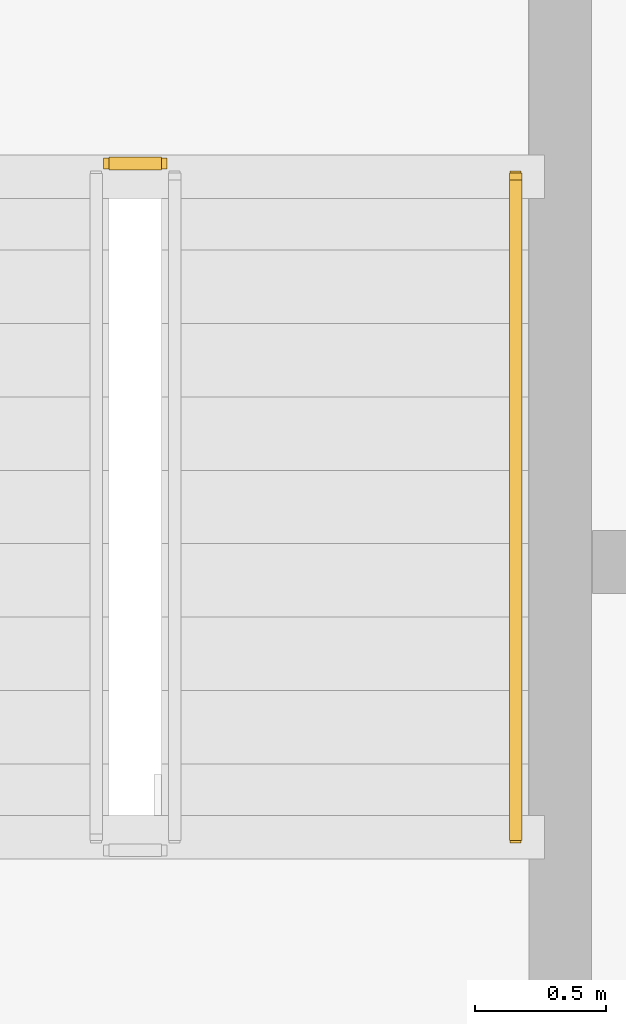
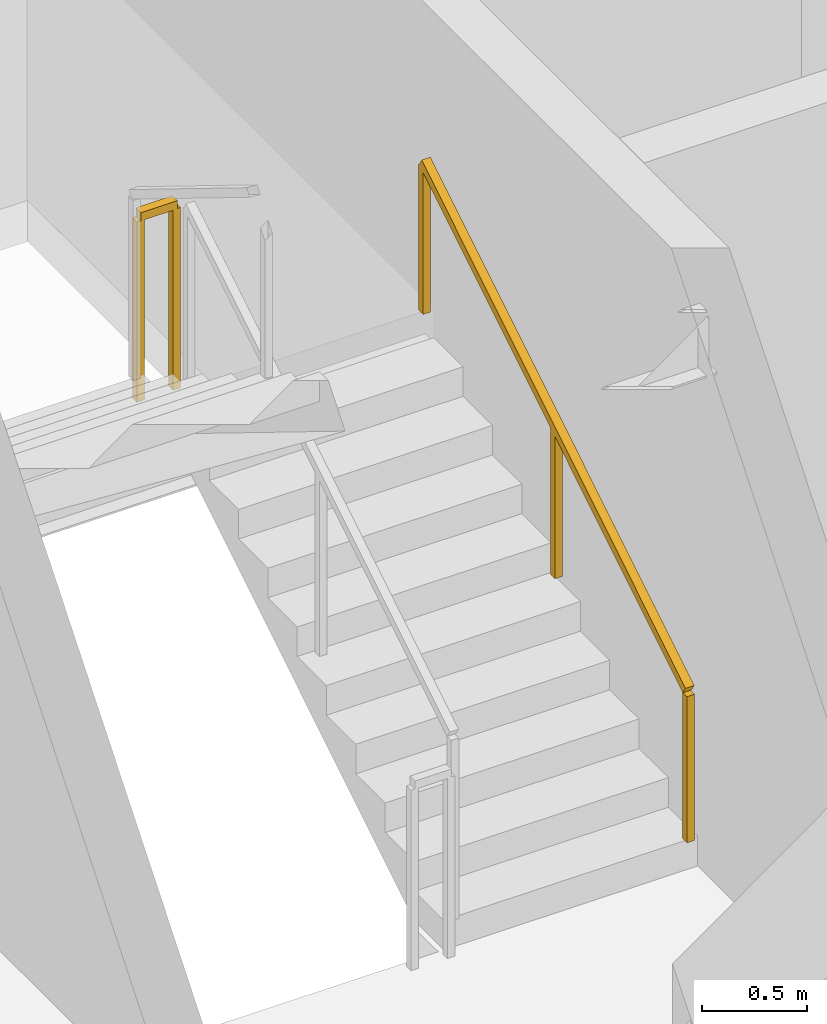
# One storey, part 10 of 11: 2 railings.
"""IFC4 building model written with IfcOpenShell, lengths in metres."""

from ifc_helpers import new_model, si_unit, direction, frame, origin, origin_2d, place, context, subcontext, project, spatial, rectangle, extrude, material, type_object, element, save


model = new_model("IFC4")

# Units and contexts
model_context = context("Model", 3, precision=1e-05, world=origin(), true_north=direction((0.0, 1.0)))
body_context = subcontext(model_context, "Body", "Model", "MODEL_VIEW")
ifc_project = project(units=[si_unit("LENGTHUNIT", "METRE"), si_unit("AREAUNIT", "SQUARE_METRE"), si_unit("VOLUMEUNIT", "CUBIC_METRE"), si_unit("PLANEANGLEUNIT", "RADIAN"), si_unit("MASSUNIT", "GRAM", prefix="KILO")], contexts=[model_context])

# Site, building, storey
site_placement = place(None, origin())
site = spatial("IfcSite", under=ifc_project, at=site_placement, CompositionType="ELEMENT")
building_placement = place(site_placement, origin())
building = spatial("IfcBuilding", under=site, at=building_placement, Name="Haldorwick Loom Tower", CompositionType="ELEMENT")
storey_placement = place(building_placement, frame((0.0, 0.0, 227.10009765625)))
storey = spatial("IfcBuildingStorey", under=building, at=storey_placement, Name="L61", CompositionType="ELEMENT", Elevation=227.10009765625)

# Railings
ifc_material = material(Name="Steel CSA G40.21 350W", Category="steel")
railing_type_1 = type_object("IfcRailingType", Name="ARC-RLG-GUARD112", PredefinedType="GUARDRAIL", material=ifc_material)
railing_1_placement = place(storey_placement, frame((31.85009765625, 30.969970703125, 1.724853515625)))
element("IfcRailing", 1, at=railing_1_placement, inside=storey, type_object=railing_type_1, Name="L61 ST-03 stair guard 2", PredefinedType="GUARDRAIL", context=body_context, shape_type="SweptSolid", body=[
    extrude(rectangle(XDim=0.048095703125, YDim=0.048095703125, at=origin_2d()), frame((0.0, 0.0, 1.076171875), z_axis=(-1.0, 0.0, 0.0), x_axis=(0.0, -1.0, 0.0)), (0.0, 0.0, 1.0), 0.2001953125),
    extrude(rectangle(XDim=0.0419921875, YDim=0.0419921875, at=origin_2d()), origin(), (0.0, 0.0, 1.0), 1.052001953125),
    extrude(rectangle(XDim=0.0419921875, YDim=0.0419921875, at=origin_2d()), frame((-0.2001953125, 0.0, 0.0)), (0.0, 0.0, 1.0), 1.052001953125),
])
railing_type_2 = type_object("IfcRailingType", Name="ARC-RLG-HAND092", PredefinedType="HANDRAIL", material=ifc_material)
railing_2_placement = place(storey_placement, frame((33.199951171875, 28.39990234375, 0.17236328125)))
element("IfcRailing", 2, at=railing_2_placement, inside=storey, type_object=railing_type_2, Name="L61 ST-03 stair handrail 1", PredefinedType="HANDRAIL", context=body_context, shape_type="SweptSolid", body=[
    extrude(rectangle(XDim=0.048095703125, YDim=0.048095703125, at=origin_2d()), frame((0.0, 0.0, 0.8759765625), z_axis=(0.0, 0.851400495292, 0.524516154772), x_axis=(-1.0, 0.0, 0.0)), (0.0, 0.0, 1.0), 2.9599609375),
    extrude(rectangle(XDim=0.0419921875, YDim=0.0419921875, at=origin_2d()), origin(), (0.0, 0.0, 1.0), 0.851806640625),
    extrude(rectangle(XDim=0.0419921875, YDim=0.0419921875, at=origin_2d()), frame((0.0, 1.260009765625, 0.7763671875)), (0.0, 0.0, 1.0), 0.851806640625),
    extrude(rectangle(XDim=0.0419921875, YDim=0.0419921875, at=origin_2d()), frame((0.0, 2.52001953125, 1.552490234375)), (0.0, 0.0, 1.0), 0.851806640625),
])

save(model, "model.ifc")
